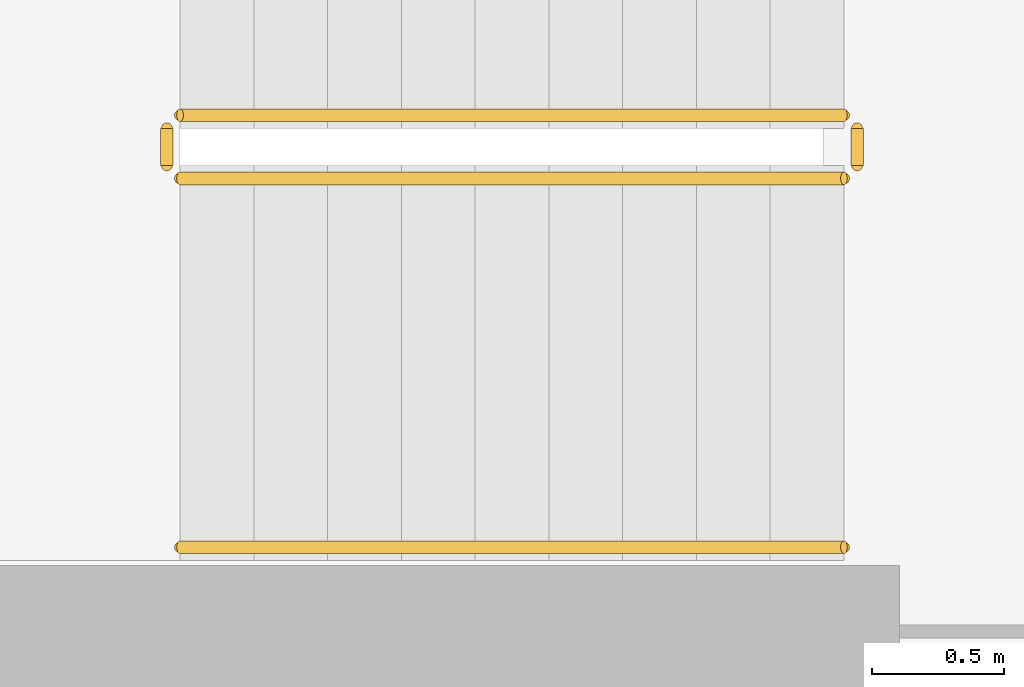
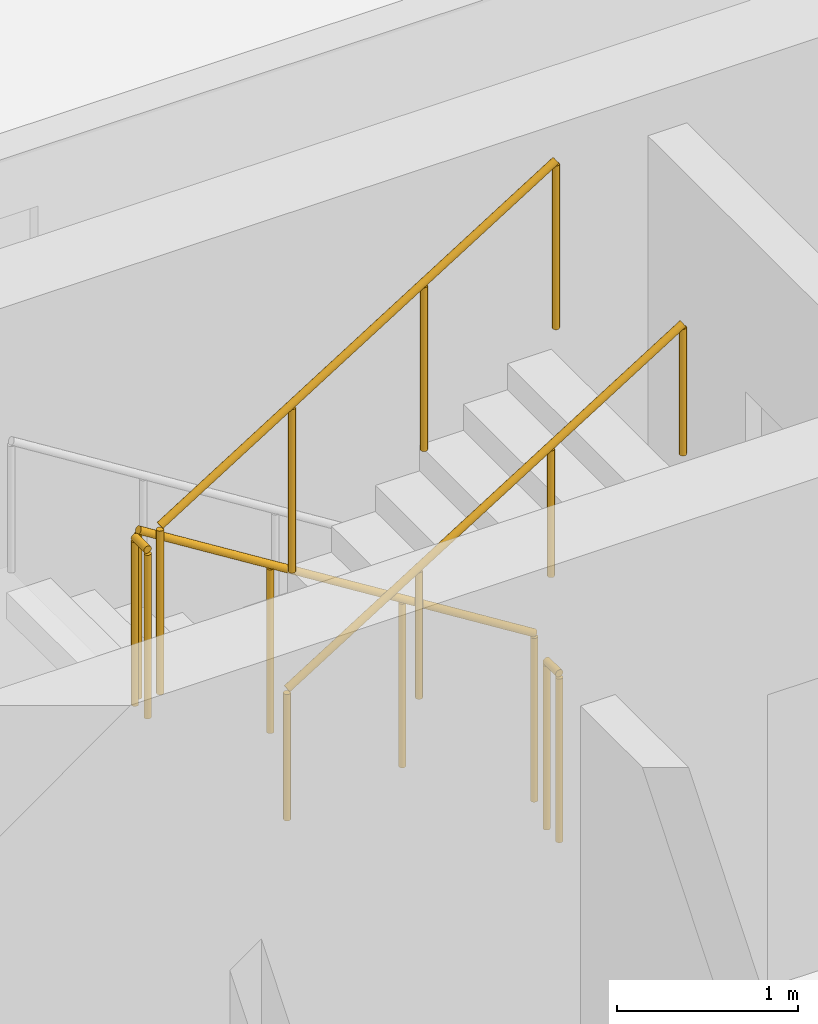
# One storey, part 24 of 26: 5 railings.
"""IFC4 building model written with IfcOpenShell, lengths in metres."""

from ifc_helpers import new_model, si_unit, derived_unit, direction, frame, origin, origin_2d, place, context, subcontext, project, spatial, circle, extrude, material, type_object, element, save


model = new_model("IFC4")

# Units and contexts
model_context = context("Model", 3, precision=1e-05, world=origin(), true_north=direction((0.0, 1.0)))
body_context = subcontext(model_context, "Body", "Model", "MODEL_VIEW")
ifc_project = project(units=[si_unit("LENGTHUNIT", "METRE"), si_unit("AREAUNIT", "SQUARE_METRE"), si_unit("VOLUMEUNIT", "CUBIC_METRE"), si_unit("PLANEANGLEUNIT", "RADIAN"), si_unit("MASSUNIT", "GRAM", prefix="KILO"), derived_unit("THERMALTRANSMITTANCEUNIT", [(si_unit("POWERUNIT", "WATT"), 1), (si_unit("LENGTHUNIT", "METRE"), -2), (si_unit("THERMODYNAMICTEMPERATUREUNIT", "KELVIN"), -1)])], contexts=[model_context])

# Site, building, storey
site_placement = place(None, origin())
site = spatial("IfcSite", under=ifc_project, at=site_placement, CompositionType="ELEMENT")
building_placement = place(site_placement, origin())
building = spatial("IfcBuilding", under=site, at=building_placement, Name="Kivonza Crest Hotel", CompositionType="ELEMENT")
storey_placement = place(building_placement, frame((0.0, 0.0, 62.5)))
storey = spatial("IfcBuildingStorey", under=building, at=storey_placement, Name="L16", CompositionType="ELEMENT", Elevation=62.5)

# Railings
ifc_material_1 = material(Name="Brushed stainless steel handrail", Category="steel")
railing_type_1 = type_object("IfcRailingType", Name="RL-HAND-900", PredefinedType="HANDRAIL", material=ifc_material_1)
railing_1_placement = place(storey_placement, frame((9.719970703125, 33.070068359375, 1.925048828125)))
element("IfcRailing", 1, at=railing_1_placement, inside=storey, type_object=railing_type_1, Name="L16 ST-T1-N stair handrail 2", PredefinedType="HANDRAIL", context=body_context, shape_type="SweptSolid", body=[
    extrude(circle(Radius=0.02392578125, at=origin_2d()), frame((0.0, 0.0, 0.8759765625), z_axis=(0.848007534815, 0.0, 0.529984170421), x_axis=(0.0, 1.0, 0.0)), (0.0, 0.0, 1.0), 2.9716796875),
    extrude(circle(Radius=0.02099609375, at=origin_2d()), origin(), (0.0, 0.0, 1.0), 0.851806640625),
    extrude(circle(Radius=0.02099609375, at=origin_2d()), frame((0.840087890625, 0.0, 0.52490234375)), (0.0, 0.0, 1.0), 0.851806640625),
    extrude(circle(Radius=0.02099609375, at=origin_2d()), frame((1.679931640625, 0.0, 1.050048828125)), (0.0, 0.0, 1.0), 0.851806640625),
    extrude(circle(Radius=0.02099609375, at=origin_2d()), frame((2.52001953125, 0.0, 1.574951171875)), (0.0, 0.0, 1.0), 0.851806640625),
])
ifc_material_2 = material(Name="Painted steel balustrade", Category="steel")
railing_type_2 = type_object("IfcRailingType", Name="RL-STAIR-1150", PredefinedType="BALUSTRADE", material=ifc_material_2)
railing_2_placement = place(storey_placement, frame((12.239990234375, 34.7099609375, 0.175048828125)))
element("IfcRailing", 2, at=railing_2_placement, inside=storey, type_object=railing_type_2, Name="L16 ST-T1-N stair guard 1", PredefinedType="BALUSTRADE", context=body_context, shape_type="SweptSolid", body=[
    extrude(circle(Radius=0.02392578125, at=origin_2d()), frame((0.0, 0.0, 1.1259765625), z_axis=(-0.848007534815, 0.0, 0.529984170421), x_axis=(0.0, -1.0, 0.0)), (0.0, 0.0, 1.0), 2.9716796875),
    extrude(circle(Radius=0.02099609375, at=origin_2d()), origin(), (0.0, 0.0, 1.0), 1.101806640625),
    extrude(circle(Radius=0.02099609375, at=origin_2d()), frame((-0.840087890625, 0.0, 0.52490234375)), (0.0, 0.0, 1.0), 1.101806640625),
    extrude(circle(Radius=0.02099609375, at=origin_2d()), frame((-1.679931640625, 0.0, 1.050048828125)), (0.0, 0.0, 1.0), 1.101806640625),
    extrude(circle(Radius=0.02099609375, at=origin_2d()), frame((-2.52001953125, 0.0, 1.574951171875)), (0.0, 0.0, 1.0), 1.101806640625),
])
railing_3_placement = place(storey_placement, frame((9.669921875, 34.659912109375, 1.75)))
element("IfcRailing", 3, at=railing_3_placement, inside=storey, type_object=railing_type_2, Name="L16 ST-T1-N stair guard 2", PredefinedType="BALUSTRADE", context=body_context, shape_type="SweptSolid", body=[
    extrude(circle(Radius=0.02392578125, at=origin_2d()), frame((0.0, 0.0, 1.1259765625), z_axis=(0.0, -1.0, 0.0), x_axis=(1.0, 0.0, 0.0)), (0.0, 0.0, 1.0), 0.139892578125),
    extrude(circle(Radius=0.02099609375, at=origin_2d()), origin(), (0.0, 0.0, 1.0), 1.101806640625),
    extrude(circle(Radius=0.02099609375, at=origin_2d()), frame((0.0, -0.139892578125, 0.0)), (0.0, 0.0, 1.0), 1.101806640625),
])
railing_4_placement = place(storey_placement, frame((9.719970703125, 34.469970703125, 1.925048828125)))
element("IfcRailing", 4, at=railing_4_placement, inside=storey, type_object=railing_type_2, Name="L16 ST-T1-N stair guard 3", PredefinedType="BALUSTRADE", context=body_context, shape_type="SweptSolid", body=[
    extrude(circle(Radius=0.02392578125, at=origin_2d()), frame((0.0, 0.0, 1.1259765625), z_axis=(0.848007534815, 0.0, 0.529984170421), x_axis=(0.0, 1.0, 0.0)), (0.0, 0.0, 1.0), 2.9716796875),
    extrude(circle(Radius=0.02099609375, at=origin_2d()), origin(), (0.0, 0.0, 1.0), 1.101806640625),
    extrude(circle(Radius=0.02099609375, at=origin_2d()), frame((0.840087890625, 0.0, 0.52490234375)), (0.0, 0.0, 1.0), 1.101806640625),
    extrude(circle(Radius=0.02099609375, at=origin_2d()), frame((1.679931640625, 0.0, 1.050048828125)), (0.0, 0.0, 1.0), 1.101806640625),
    extrude(circle(Radius=0.02099609375, at=origin_2d()), frame((2.52001953125, 0.0, 1.574951171875)), (0.0, 0.0, 1.0), 1.101806640625),
])
railing_5_placement = place(storey_placement, frame((12.2900390625, 34.659912109375, 0.0)))
element("IfcRailing", 5, at=railing_5_placement, inside=storey, type_object=railing_type_2, Name="L16 ST-T1-N stair guard 4", PredefinedType="BALUSTRADE", context=body_context, shape_type="SweptSolid", body=[
    extrude(circle(Radius=0.02392578125, at=origin_2d()), frame((0.0, 0.0, 1.1259765625), z_axis=(0.0, -1.0, 0.0), x_axis=(1.0, 0.0, 0.0)), (0.0, 0.0, 1.0), 0.139892578125),
    extrude(circle(Radius=0.02099609375, at=origin_2d()), origin(), (0.0, 0.0, 1.0), 1.101806640625),
    extrude(circle(Radius=0.02099609375, at=origin_2d()), frame((0.0, -0.139892578125, 0.0)), (0.0, 0.0, 1.0), 1.101806640625),
])

save(model, "model.ifc")
